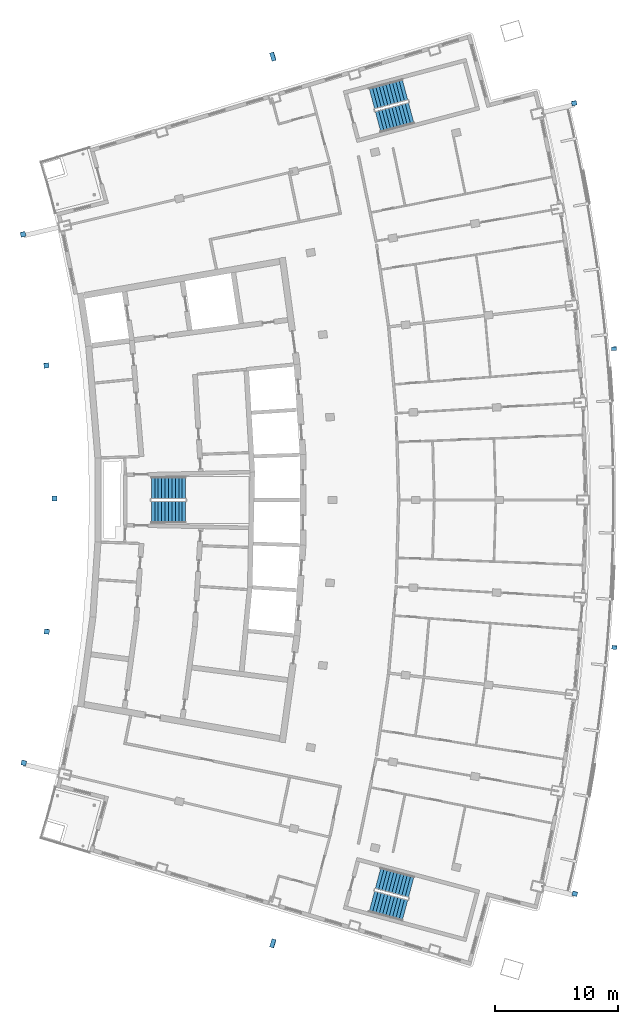
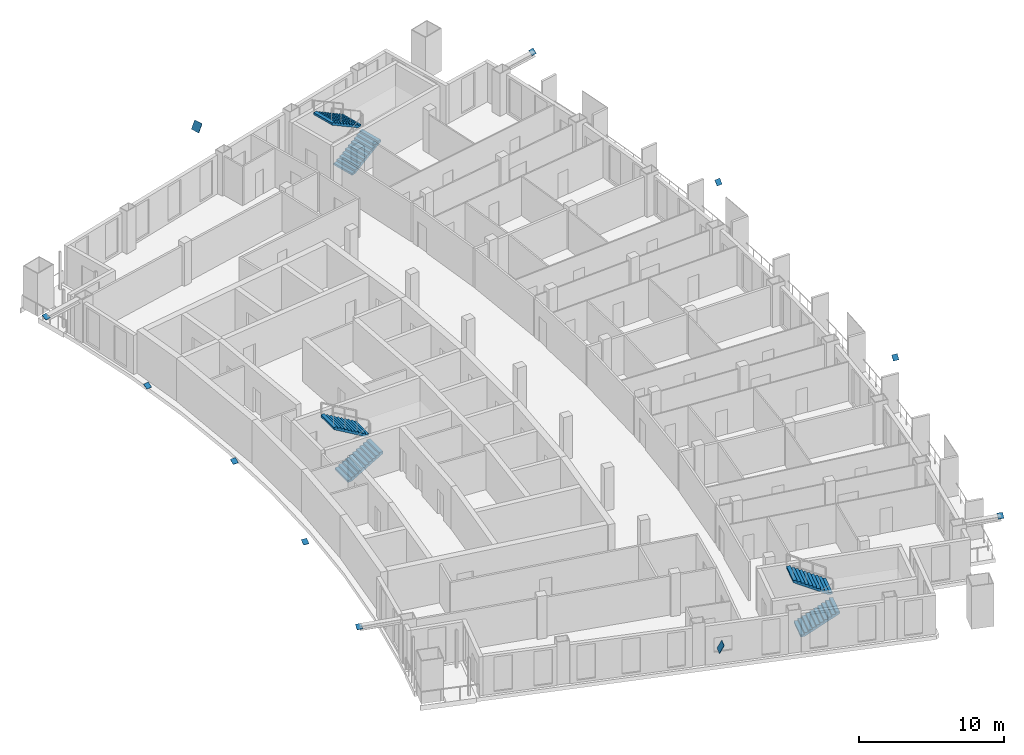
# One storey, part 14 of 17: 11 discrete accessories, 6 stair flights, 3 elements without a shape of their own.
"""IFC4 building model written with IfcOpenShell, lengths in metres."""

from ifc_helpers import new_model, si_unit, direction, frame, origin, origin_2d, place, context, subcontext, project, spatial, polyline, rectangle, outline, extrude, material, layer, layer_set, material_profile, profile_set, type_object, element, aggregate, save


model = new_model("IFC4")

# Units and contexts
model_context = context("Model", 3, precision=1e-05, world=origin(), true_north=direction((0.0, 1.0)))
body_context = subcontext(model_context, "Body", "Model", "MODEL_VIEW")
ifc_project = project(units=[si_unit("LENGTHUNIT", "METRE"), si_unit("AREAUNIT", "SQUARE_METRE"), si_unit("VOLUMEUNIT", "CUBIC_METRE"), si_unit("PLANEANGLEUNIT", "RADIAN"), si_unit("MASSUNIT", "GRAM", prefix="KILO")], contexts=[model_context])

# Site, building, storey
site_placement = place(None, origin())
site = spatial("IfcSite", under=ifc_project, at=site_placement, CompositionType="ELEMENT")
building_placement = place(site_placement, origin())
building = spatial("IfcBuilding", under=site, at=building_placement, Name="Alderwake Tower", CompositionType="ELEMENT")
storey_placement = place(building_placement, frame((0.0, 0.0, 274.39990234375)))
storey = spatial("IfcBuildingStorey", under=building, at=storey_placement, Name="L68", CompositionType="ELEMENT", Elevation=274.39990234375)

# Stair, stair flights
ifc_material_1 = material(Name="Concrete C40/50", Category="concrete")
stair_type = type_object("IfcStairType", Name="Core exit stair", PredefinedType="HALF_TURN_STAIR", material=ifc_material_1)
stair_1_placement = place(storey_placement, origin())
stair_1 = element("IfcStair", 1, at=stair_1_placement, inside=storey, type_object=stair_type, Name="L68 Exit Stair B", PredefinedType="HALF_TURN_STAIR")
ifc_material_2 = material(Name="Concrete C40/50", Category="concrete")
ifc_layer = layer(ifc_material_2, 0.14990234375)
ifc_layer_set = layer_set([ifc_layer], Name="Core stair flight")
stair_flight_type = type_object("IfcStairFlightType", Name="Core stair flight", PredefinedType="STRAIGHT", material=ifc_layer_set)
stair_flight_1_placement = place(storey_placement, frame((21.0400390625, 60.02490234375, 0.0), z_axis=(0.0, 0.0, 1.0), x_axis=(1.0, 0.0, 0.0)))
stair_flight_1 = element("IfcStairFlight", 2, at=stair_flight_1_placement, type_object=stair_flight_type, Name="ST-B flight 1", NumberOfRisers=11, NumberOfTreads=10, PredefinedType="STRAIGHT", RiserHeight=0.163636364, TreadLength=0.28, context=body_context, shape_type="SweptSolid", body=[
    extrude(outline(polyline([(0.0, 0.0), (0.0, 0.16357421875), (0.280029296875, 0.16357421875), (0.280029296875, 0.327392578125), (0.56005859375, 0.327392578125), (0.56005859375, 0.490966796875), (0.840087890625, 0.490966796875), (0.840087890625, 0.654541015625), (1.1201171875, 0.654541015625), (1.1201171875, 0.818115234375), (1.39990234375, 0.818115234375), (1.39990234375, 0.98193359375), (1.679931640625, 0.98193359375), (1.679931640625, 1.1455078125), (1.9599609375, 1.1455078125), (1.9599609375, 1.30908203125), (2.239990234375, 1.30908203125), (2.239990234375, 1.47265625), (2.52001953125, 1.47265625), (2.52001953125, 1.636474609375), (2.800048828125, 1.636474609375), (2.800048828125, 1.800048828125), (2.800048828125, 1.462646484375), (0.297119140625, 0.0), (0.0, 0.0)])), frame((0.0, 0.89990234375, 0.0), z_axis=(0.0, -1.0, 0.0), x_axis=(1.0, 0.0, 0.0)), (0.0, 0.0, 1.0), 1.800048828125),
])
stair_flight_2_placement = place(storey_placement, frame((23.840087890625, 61.97509765625, 1.800048828125), z_axis=(0.0, 0.0, 1.0), x_axis=(-1.0, 0.0, 0.0)))
stair_flight_2 = element("IfcStairFlight", 3, at=stair_flight_2_placement, type_object=stair_flight_type, Name="ST-B flight 2", NumberOfRisers=11, NumberOfTreads=10, PredefinedType="STRAIGHT", RiserHeight=0.163636364, TreadLength=0.28, context=body_context, shape_type="SweptSolid", body=[
    extrude(outline(polyline([(0.0, 0.0), (0.0, 0.16357421875), (0.280029296875, 0.16357421875), (0.280029296875, 0.327392578125), (0.56005859375, 0.327392578125), (0.56005859375, 0.490966796875), (0.840087890625, 0.490966796875), (0.840087890625, 0.654541015625), (1.1201171875, 0.654541015625), (1.1201171875, 0.818115234375), (1.39990234375, 0.818115234375), (1.39990234375, 0.98193359375), (1.679931640625, 0.98193359375), (1.679931640625, 1.1455078125), (1.9599609375, 1.1455078125), (1.9599609375, 1.30908203125), (2.239990234375, 1.30908203125), (2.239990234375, 1.47265625), (2.52001953125, 1.47265625), (2.52001953125, 1.636474609375), (2.800048828125, 1.636474609375), (2.800048828125, 1.800048828125), (2.800048828125, 1.462646484375), (0.297119140625, 0.0), (0.0, 0.0)])), frame((0.0, 0.89990234375, 0.0), z_axis=(0.0, -1.0, 0.0), x_axis=(1.0, 0.0, 0.0)), (0.0, 0.0, 1.0), 1.800048828125),
])
aggregate(stair_1, [stair_flight_1, stair_flight_2])

stair_2_placement = place(storey_placement, origin())
stair_2 = element("IfcStair", 4, at=stair_2_placement, inside=storey, type_object=stair_type, Name="L68 Exit Stair A", PredefinedType="HALF_TURN_STAIR")
stair_flight_3_placement = place(storey_placement, frame((39.512939453125, 91.823974609375, 0.0), z_axis=(0.0, 0.0, 1.0), x_axis=(0.966309627437, 0.257382407951, 0.0)))
stair_flight_3 = element("IfcStairFlight", 5, at=stair_flight_3_placement, type_object=stair_flight_type, Name="ST-A flight 1", NumberOfRisers=11, NumberOfTreads=10, PredefinedType="STRAIGHT", RiserHeight=0.163636364, TreadLength=0.28, context=body_context, shape_type="SweptSolid", body=[
    extrude(outline(polyline([(0.0, 0.0), (0.0, 0.16357421875), (0.280029296875, 0.16357421875), (0.280029296875, 0.327392578125), (0.56005859375, 0.327392578125), (0.56005859375, 0.490966796875), (0.840087890625, 0.490966796875), (0.840087890625, 0.654541015625), (1.1201171875, 0.654541015625), (1.1201171875, 0.818115234375), (1.39990234375, 0.818115234375), (1.39990234375, 0.98193359375), (1.679931640625, 0.98193359375), (1.679931640625, 1.1455078125), (1.9599609375, 1.1455078125), (1.9599609375, 1.30908203125), (2.239990234375, 1.30908203125), (2.239990234375, 1.47265625), (2.52001953125, 1.47265625), (2.52001953125, 1.636474609375), (2.800048828125, 1.636474609375), (2.800048828125, 1.800048828125), (2.800048828125, 1.462646484375), (0.297119140625, 0.0), (0.0, 0.0)])), frame((0.0, 0.89990234375, 0.0), z_axis=(0.0, -1.0, 0.0), x_axis=(1.0, 0.0, 0.0)), (0.0, 0.0, 1.0), 1.800048828125),
])
stair_flight_4_placement = place(storey_placement, frame((41.716796875, 94.428955078125, 1.800048828125), z_axis=(0.0, 0.0, 1.0), x_axis=(-0.966309627437, -0.257382407951, 0.0)))
stair_flight_4 = element("IfcStairFlight", 6, at=stair_flight_4_placement, type_object=stair_flight_type, Name="ST-A flight 2", NumberOfRisers=11, NumberOfTreads=10, PredefinedType="STRAIGHT", RiserHeight=0.163636364, TreadLength=0.28, context=body_context, shape_type="SweptSolid", body=[
    extrude(outline(polyline([(0.0, 0.0), (0.0, 0.16357421875), (0.280029296875, 0.16357421875), (0.280029296875, 0.327392578125), (0.56005859375, 0.327392578125), (0.56005859375, 0.490966796875), (0.840087890625, 0.490966796875), (0.840087890625, 0.654541015625), (1.1201171875, 0.654541015625), (1.1201171875, 0.818115234375), (1.39990234375, 0.818115234375), (1.39990234375, 0.98193359375), (1.679931640625, 0.98193359375), (1.679931640625, 1.1455078125), (1.9599609375, 1.1455078125), (1.9599609375, 1.30908203125), (2.239990234375, 1.30908203125), (2.239990234375, 1.47265625), (2.52001953125, 1.47265625), (2.52001953125, 1.636474609375), (2.800048828125, 1.636474609375), (2.800048828125, 1.800048828125), (2.800048828125, 1.462646484375), (0.297119140625, 0.0), (0.0, 0.0)])), frame((0.0, 0.89990234375, 0.0), z_axis=(0.0, -1.0, 0.0), x_axis=(1.0, 0.0, 0.0)), (0.0, 0.0, 1.0), 1.800048828125),
])
aggregate(stair_2, [stair_flight_3, stair_flight_4])

stair_3_placement = place(storey_placement, origin())
stair_3 = element("IfcStair", 7, at=stair_3_placement, inside=storey, type_object=stair_type, Name="L68 Exit Stair C", PredefinedType="HALF_TURN_STAIR")
stair_flight_5_placement = place(storey_placement, frame((39.010986328125, 28.291748046875, 0.0), z_axis=(0.0, 0.0, 1.0), x_axis=(0.966309627437, -0.257382407951, 0.0)))
stair_flight_5 = element("IfcStairFlight", 8, at=stair_flight_5_placement, type_object=stair_flight_type, Name="ST-C flight 1", NumberOfRisers=11, NumberOfTreads=10, PredefinedType="STRAIGHT", RiserHeight=0.163636364, TreadLength=0.28, context=body_context, shape_type="SweptSolid", body=[
    extrude(outline(polyline([(0.0, 0.0), (0.0, 0.16357421875), (0.280029296875, 0.16357421875), (0.280029296875, 0.327392578125), (0.56005859375, 0.327392578125), (0.56005859375, 0.490966796875), (0.840087890625, 0.490966796875), (0.840087890625, 0.654541015625), (1.1201171875, 0.654541015625), (1.1201171875, 0.818115234375), (1.39990234375, 0.818115234375), (1.39990234375, 0.98193359375), (1.679931640625, 0.98193359375), (1.679931640625, 1.1455078125), (1.9599609375, 1.1455078125), (1.9599609375, 1.30908203125), (2.239990234375, 1.30908203125), (2.239990234375, 1.47265625), (2.52001953125, 1.47265625), (2.52001953125, 1.636474609375), (2.800048828125, 1.636474609375), (2.800048828125, 1.800048828125), (2.800048828125, 1.462646484375), (0.297119140625, 0.0), (0.0, 0.0)])), frame((0.0, 0.89990234375, 0.0), z_axis=(0.0, -1.0, 0.0), x_axis=(1.0, 0.0, 0.0)), (0.0, 0.0, 1.0), 1.800048828125),
])
stair_flight_6_placement = place(storey_placement, frame((42.218505859375, 29.455322265625, 1.800048828125), z_axis=(0.0, 0.0, 1.0), x_axis=(-0.966309627437, 0.257382407951, 0.0)))
stair_flight_6 = element("IfcStairFlight", 9, at=stair_flight_6_placement, type_object=stair_flight_type, Name="ST-C flight 2", NumberOfRisers=11, NumberOfTreads=10, PredefinedType="STRAIGHT", RiserHeight=0.163636364, TreadLength=0.28, context=body_context, shape_type="SweptSolid", body=[
    extrude(outline(polyline([(0.0, 0.0), (0.0, 0.16357421875), (0.280029296875, 0.16357421875), (0.280029296875, 0.327392578125), (0.56005859375, 0.327392578125), (0.56005859375, 0.490966796875), (0.840087890625, 0.490966796875), (0.840087890625, 0.654541015625), (1.1201171875, 0.654541015625), (1.1201171875, 0.818115234375), (1.39990234375, 0.818115234375), (1.39990234375, 0.98193359375), (1.679931640625, 0.98193359375), (1.679931640625, 1.1455078125), (1.9599609375, 1.1455078125), (1.9599609375, 1.30908203125), (2.239990234375, 1.30908203125), (2.239990234375, 1.47265625), (2.52001953125, 1.47265625), (2.52001953125, 1.636474609375), (2.800048828125, 1.636474609375), (2.800048828125, 1.800048828125), (2.800048828125, 1.462646484375), (0.297119140625, 0.0), (0.0, 0.0)])), frame((0.0, 0.89990234375, 0.0), z_axis=(0.0, -1.0, 0.0), x_axis=(1.0, 0.0, 0.0)), (0.0, 0.0, 1.0), 1.800048828125),
])
aggregate(stair_3, [stair_flight_5, stair_flight_6])

# Discrete accessories
ifc_material_3 = material(Name="Steel ASTM A572 Grade 50", Category="steel")
ifc_material_profile_1 = material_profile(ifc_material_3, rectangle(XDim=0.699951171875, YDim=0.699951171875, at=origin_2d()), Name="BOX 700X700X45 cap")
ifc_profile_set_1 = profile_set([ifc_material_profile_1], Name="Steel ASTM A572 Grade 50")
discrete_accessory_type_1 = type_object("IfcDiscreteAccessoryType", Name="End cap plate BOX 700X700X45", PredefinedType="USERDEFINED", material=ifc_profile_set_1)
for number, where, z_axis, x_axis, name in (
    (10, (30.958984375, 24.867919921875, 3.454833984375), (-0.839565428242, 0.252684740539, 0.48091611909), (-0.288200688743, -0.957570030341, 0.0), "End cap BRS5.2.0B1 X"),
    (11, (30.958984375, 97.132080078125, 3.454833984375), (-0.839565428242, -0.252684740539, 0.48091611909), (0.288200688743, -0.957570030341, 0.0), "End cap BRN5.2.0B1 X"),
):
    element("IfcDiscreteAccessory", number, at=place(storey_placement, frame(where, z_axis=z_axis, x_axis=x_axis)), inside=storey, type_object=discrete_accessory_type_1, Name=name, ObjectType="END CAP", PredefinedType="USERDEFINED", context=body_context, shape_type="SweptSolid", body=[
        extrude(rectangle(XDim=0.699951171875, YDim=0.699951171875, at=origin_2d()), origin(), (0.0, 0.0, 1.0), 0.030029296875),
    ])
ifc_material_4 = material(Name="Steel ASTM A572 Grade 50", Category="steel")
ifc_material_profile_2 = material_profile(ifc_material_4, rectangle(XDim=0.41552734375, YDim=0.445556640625, at=origin_2d()), Name="W14X342 cap")
ifc_profile_set_2 = profile_set([ifc_material_profile_2], Name="Steel ASTM A572 Grade 50")
discrete_accessory_type_2 = type_object("IfcDiscreteAccessoryType", Name="End cap plate W14X342", PredefinedType="USERDEFINED", material=ifc_profile_set_2)
for number, where, z_axis, x_axis, name in (
    (12, (55.555908203125, 28.928466796875, 3.428466796875), (-0.14642375251, -0.58569501004, 0.797195985888), (0.970142500145, -0.242535625036, 0.0), "End cap BRF5.2.2B1 X"),
    (13, (58.772705078125, 48.998046875, 3.46435546875), (-0.081311562818, -0.748066377927, 0.658623658827), (0.994144463069, -0.108059180768, 0.0), "End cap BRF5.2.4B1 X"),
):
    element("IfcDiscreteAccessory", number, at=place(storey_placement, frame(where, z_axis=z_axis, x_axis=x_axis)), inside=storey, type_object=discrete_accessory_type_2, Name=name, ObjectType="END CAP", PredefinedType="USERDEFINED", context=body_context, shape_type="SweptSolid", body=[
        extrude(rectangle(XDim=0.41552734375, YDim=0.445556640625, at=origin_2d()), origin(), (0.0, 0.0, 1.0), 0.030029296875),
    ])
discrete_accessory_1_placement = place(storey_placement, frame((58.74267578125, 73.343017578125, 3.46435546875), z_axis=(0.056667623985, -0.752869861514, 0.655725363254), x_axis=(0.997179282295, 0.075056505119, 0.0)))
element("IfcDiscreteAccessory", 14, at=discrete_accessory_1_placement, inside=storey, type_object=discrete_accessory_type_2, Name="End cap BRF5.2.7B1 X", ObjectType="END CAP", PredefinedType="USERDEFINED", context=body_context, shape_type="SweptSolid", body=[
    extrude(rectangle(XDim=0.41552734375, YDim=0.445556640625, at=origin_2d()), origin(), (0.0, 0.0, 1.0), 0.0302734375),
])
discrete_accessory_2_placement = place(storey_placement, frame((55.49072265625, 93.345947265625, 3.428466796875), z_axis=(0.13044826892, -0.587017210138, 0.798995647133), x_axis=(0.976187060184, 0.216930457819, 0.0)))
element("IfcDiscreteAccessory", 15, at=discrete_accessory_2_placement, inside=storey, type_object=discrete_accessory_type_2, Name="End cap BRF5.2.10B1 X", ObjectType="END CAP", PredefinedType="USERDEFINED", context=body_context, shape_type="SweptSolid", body=[
    extrude(rectangle(XDim=0.41552734375, YDim=0.445556640625, at=origin_2d()), origin(), (0.0, 0.0, 1.0), 0.030029296875),
])
for number, where, z_axis, x_axis, name in (
    (16, (10.646484375, 39.586181640625, 3.35009765625), (-0.106265057576, -0.441408700699, 0.890991636597), (0.972223637158, -0.234053838575, 0.0), "End cap BRR5.2.2B1 X"),
    (17, (12.522705078125, 50.283203125, 3.35009765625), (-0.049084784017, -0.449943853485, 0.891706909634), (0.994102176608, -0.108447510175, 0.0), "End cap BRR5.2.4B1 X"),
    (18, (13.141357421875, 61.1259765625, 3.35009765625), (0.0, -0.450486863362, 0.89278305648), (1.0, 0.0, 0.0), "End cap BRR5.2.6B1 X"),
    (19, (12.493408203125, 71.966796875, 3.35009765625), (0.057450433744, -0.443189060308, 0.894585325436), (0.991702506662, 0.128554028641, 0.0), "End cap BRR5.2.8B1 X"),
    (20, (10.588134765625, 82.65869140625, 3.35009765625), (0.106646979811, -0.434791533074, 0.894193907642), (0.971210844098, 0.238221527798, 0.0), "End cap BRR5.2.10B1 X"),
):
    element("IfcDiscreteAccessory", number, at=place(storey_placement, frame(where, z_axis=z_axis, x_axis=x_axis)), inside=storey, type_object=discrete_accessory_type_2, Name=name, ObjectType="END CAP", PredefinedType="USERDEFINED", context=body_context, shape_type="SweptSolid", body=[
        extrude(rectangle(XDim=0.41552734375, YDim=0.445556640625, at=origin_2d()), origin(), (0.0, 0.0, 1.0), 0.02978515625),
    ])

save(model, "model.ifc")
